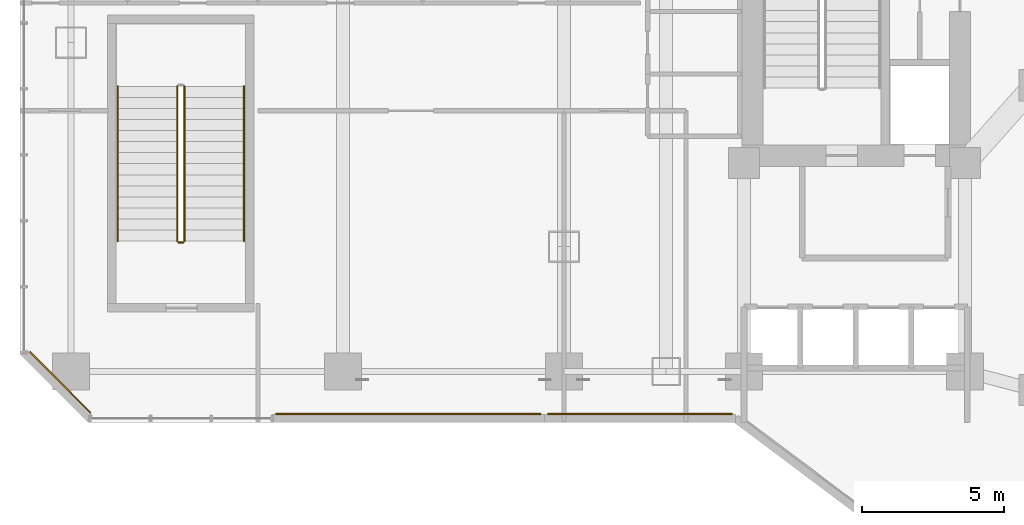
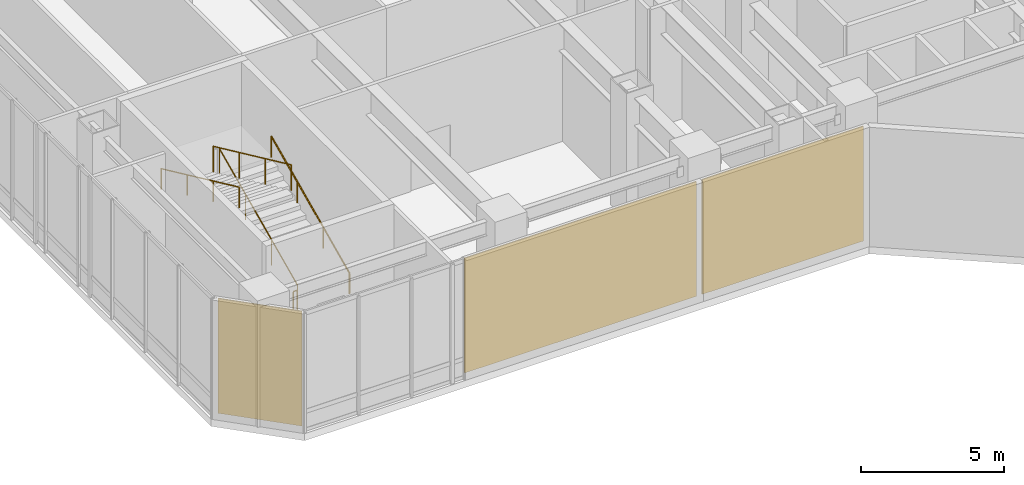
# One storey, part 31 of 35: 5 railings, 3 coverings.
"""IFC4 building model written with IfcOpenShell, lengths in metres."""

from ifc_helpers import new_model, si_unit, direction, frame, origin, origin_2d, place, context, subcontext, project, spatial, rectangle, circle, extrude, material, layer, layer_set, type_object, element, save


model = new_model("IFC4")

# Units and contexts
model_context = context("Model", 3, precision=1e-05, world=origin(), true_north=direction((0.0, 1.0)))
body_context = subcontext(model_context, "Body", "Model", "MODEL_VIEW")
ifc_project = project(units=[si_unit("LENGTHUNIT", "METRE"), si_unit("AREAUNIT", "SQUARE_METRE"), si_unit("VOLUMEUNIT", "CUBIC_METRE"), si_unit("PLANEANGLEUNIT", "RADIAN"), si_unit("MASSUNIT", "GRAM", prefix="KILO")], contexts=[model_context])

# Site, building, storey
site_placement = place(None, origin())
site = spatial("IfcSite", under=ifc_project, at=site_placement, CompositionType="ELEMENT")
building_placement = place(site_placement, origin())
building = spatial("IfcBuilding", under=site, at=building_placement, Name="Hatsunagi Terrace Concourse", CompositionType="ELEMENT")
storey_placement = place(building_placement, frame((0.0, 0.0, 16.199951171875)))
storey = spatial("IfcBuildingStorey", under=building, at=storey_placement, Name="L04", CompositionType="ELEMENT", Elevation=16.199951171875)

# Railings
ifc_material_1 = material(Name="Stainless steel", Category="steel")
ifc_layer_1 = layer(ifc_material_1, 0.050048828125)
ifc_layer_set_1 = layer_set([ifc_layer_1], Name="StairPitchHandrail_Podium2200")
railing_type_1 = type_object("IfcRailingType", Name="StairPitchHandrail_Podium2200", PredefinedType="HANDRAIL", material=ifc_layer_set_1)
railing_1_placement = place(storey_placement, frame((7.89990234375, 29.800048828125, 0.179931640625)))
element("IfcRailing", 1, at=railing_1_placement, inside=storey, type_object=railing_type_1, Name="L04 ST-P1 stair handrail 1", PredefinedType="HANDRAIL", context=body_context, shape_type="SweptSolid", body=[
    extrude(circle(Radius=0.02392578125, at=origin_2d()), frame((0.0, 0.0, 0.8759765625), z_axis=(0.0, 0.907957007956, 0.419063326602), x_axis=(-1.0, 0.0, 0.0)), (0.0, 0.0, 1.0), 6.013427734375),
    extrude(circle(Radius=0.02099609375, at=origin_2d()), origin(), (0.0, 0.0, 1.0), 0.851806640625),
    extrude(circle(Radius=0.02099609375, at=origin_2d()), frame((0.0, 1.820068359375, 0.840087890625)), (0.0, 0.0, 1.0), 0.851806640625),
    extrude(circle(Radius=0.02099609375, at=origin_2d()), frame((0.0, 3.639892578125, 1.679931640625)), (0.0, 0.0, 1.0), 0.851806640625),
    extrude(circle(Radius=0.02099609375, at=origin_2d()), frame((0.0, 5.4599609375, 2.52001953125)), (0.0, 0.0, 1.0), 0.851806640625),
])
railing_2_placement = place(storey_placement, frame((3.449951171875, 35.260009765625, 2.880126953125)))
element("IfcRailing", 2, at=railing_2_placement, inside=storey, type_object=railing_type_1, Name="L04 ST-P1 stair handrail 2", PredefinedType="HANDRAIL", context=body_context, shape_type="SweptSolid", body=[
    extrude(circle(Radius=0.02392578125, at=origin_2d()), frame((0.0, 0.0, 0.8759765625), z_axis=(0.0, -0.907957007956, 0.419063326602), x_axis=(1.0, 0.0, 0.0)), (0.0, 0.0, 1.0), 6.013427734375),
    extrude(circle(Radius=0.02099609375, at=origin_2d()), origin(), (0.0, 0.0, 1.0), 0.851806640625),
    extrude(circle(Radius=0.02099609375, at=origin_2d()), frame((0.0, -1.820068359375, 0.840087890625)), (0.0, 0.0, 1.0), 0.851806640625),
    extrude(circle(Radius=0.02099609375, at=origin_2d()), frame((0.0, -3.639892578125, 1.679931640625)), (0.0, 0.0, 1.0), 0.851806640625),
    extrude(circle(Radius=0.02099609375, at=origin_2d()), frame((0.0, -5.4599609375, 2.52001953125)), (0.0, 0.0, 1.0), 0.851806640625),
])
ifc_material_2 = material(Name="Stainless steel", Category="steel")
ifc_layer_2 = layer(ifc_material_2, 0.06494140625)
ifc_layer_set_2 = layer_set([ifc_layer_2], Name="StairWellGuard_Podium2200")
railing_type_2 = type_object("IfcRailingType", Name="StairWellGuard_Podium2200", PredefinedType="BALUSTRADE", material=ifc_layer_set_2)
railing_3_placement = place(storey_placement, frame((5.800048828125, 29.800048828125, 0.179931640625)))
element("IfcRailing", 3, at=railing_3_placement, inside=storey, type_object=railing_type_2, Name="L04 ST-P1 stair guard 1", PredefinedType="BALUSTRADE", context=body_context, shape_type="SweptSolid", body=[
    extrude(circle(Radius=0.02392578125, at=origin_2d()), frame((0.0, 0.0, 1.09619140625), z_axis=(0.0, 0.907957007956, 0.419063326602), x_axis=(-1.0, 0.0, 0.0)), (0.0, 0.0, 1.0), 6.013427734375),
    extrude(circle(Radius=0.02099609375, at=origin_2d()), origin(), (0.0, 0.0, 1.0), 1.072021484375),
    extrude(circle(Radius=0.02099609375, at=origin_2d()), frame((0.0, 1.820068359375, 0.840087890625)), (0.0, 0.0, 1.0), 1.072021484375),
    extrude(circle(Radius=0.02099609375, at=origin_2d()), frame((0.0, 3.639892578125, 1.679931640625)), (0.0, 0.0, 1.0), 1.072021484375),
    extrude(circle(Radius=0.02099609375, at=origin_2d()), frame((0.0, 5.4599609375, 2.52001953125)), (0.0, 0.0, 1.0), 1.072021484375),
])
railing_4_placement = place(storey_placement, frame((5.550048828125, 35.260009765625, 2.880126953125)))
element("IfcRailing", 4, at=railing_4_placement, inside=storey, type_object=railing_type_2, Name="L04 ST-P1 stair guard 3", PredefinedType="BALUSTRADE", context=body_context, shape_type="SweptSolid", body=[
    extrude(circle(Radius=0.02392578125, at=origin_2d()), frame((0.0, 0.0, 1.09619140625), z_axis=(0.0, -0.907957007956, 0.419063326602), x_axis=(1.0, 0.0, 0.0)), (0.0, 0.0, 1.0), 6.013427734375),
    extrude(circle(Radius=0.02099609375, at=origin_2d()), origin(), (0.0, 0.0, 1.0), 1.072021484375),
    extrude(circle(Radius=0.02099609375, at=origin_2d()), frame((0.0, -1.820068359375, 0.840087890625)), (0.0, 0.0, 1.0), 1.072021484375),
    extrude(circle(Radius=0.02099609375, at=origin_2d()), frame((0.0, -3.639892578125, 1.679931640625)), (0.0, 0.0, 1.0), 1.072021484375),
    extrude(circle(Radius=0.02099609375, at=origin_2d()), frame((0.0, -5.4599609375, 2.52001953125)), (0.0, 0.0, 1.0), 1.072021484375),
])
railing_5_placement = place(storey_placement, frame((5.75, 29.75, 0.0)))
element("IfcRailing", 5, at=railing_5_placement, inside=storey, type_object=railing_type_2, Name="L04 ST-P1 stair guard 4", PredefinedType="BALUSTRADE", context=body_context, shape_type="SweptSolid", body=[
    extrude(circle(Radius=0.02392578125, at=origin_2d()), frame((0.0, 0.0, 1.09619140625), z_axis=(-1.0, 0.0, 0.0), x_axis=(0.0, -1.0, 0.0)), (0.0, 0.0, 1.0), 0.14990234375),
    extrude(circle(Radius=0.02099609375, at=origin_2d()), origin(), (0.0, 0.0, 1.0), 1.072021484375),
    extrude(circle(Radius=0.02099609375, at=origin_2d()), frame((-0.14990234375, 0.0, 0.0)), (0.0, 0.0, 1.0), 1.072021484375),
])

# Coverings
ifc_material_3 = material(Name="Unglazed Warm Terracotta Rainscreen Tile", Category="masonry")
ifc_layer_3 = layer(ifc_material_3, 0.044921875)
ifc_layer_set_3 = layer_set([ifc_layer_3], Name="TerracottaRainscreenCladding_45")
covering_type = type_object("IfcCoveringType", Name="TerracottaRainscreenCladding_45", PredefinedType="CLADDING", material=ifc_layer_set_3)
covering_1_placement = place(storey_placement, frame((21.873046875, 23.701904296875, 0.10009765625), z_axis=(0.0, 0.0, 1.0), x_axis=(-1.0, 0.0, 0.0)))
element("IfcCovering", 6, at=covering_1_placement, inside=storey, type_object=covering_type, Name="Terracotta Rainscreen Cladding L04-06", PredefinedType="CLADDING", context=body_context, shape_type="SweptSolid", body=[
    extrude(rectangle(XDim=6.507080078125, YDim=0.044921875, at=origin_2d()), origin(), (0.0, 0.0, 1.0), 4.89990234375),
])
covering_2_placement = place(storey_placement, frame((13.699951171875, 23.701904296875, 0.10009765625), z_axis=(0.0, 0.0, 1.0), x_axis=(-1.0, 0.0, 0.0)))
element("IfcCovering", 7, at=covering_2_placement, inside=storey, type_object=covering_type, Name="Terracotta Rainscreen Cladding L04-07", PredefinedType="CLADDING", context=body_context, shape_type="SweptSolid", body=[
    extrude(rectangle(XDim=9.360107421875, YDim=0.044921875, at=origin_2d()), origin(), (0.0, 0.0, 1.0), 4.89990234375),
])
covering_3_placement = place(storey_placement, frame((1.4140625, 24.81396484375, 0.10009765625), z_axis=(0.0, 0.0, 1.0), x_axis=(-0.707106781187, 0.707106781187, 0.0)))
element("IfcCovering", 8, at=covering_3_placement, inside=storey, type_object=covering_type, Name="Terracotta Rainscreen Cladding L04-09", PredefinedType="CLADDING", context=body_context, shape_type="SweptSolid", body=[
    extrude(rectangle(XDim=3.0380859375, YDim=0.044921875, at=origin_2d()), origin(), (0.0, 0.0, 1.0), 4.89990234375),
])

save(model, "model.ifc")
